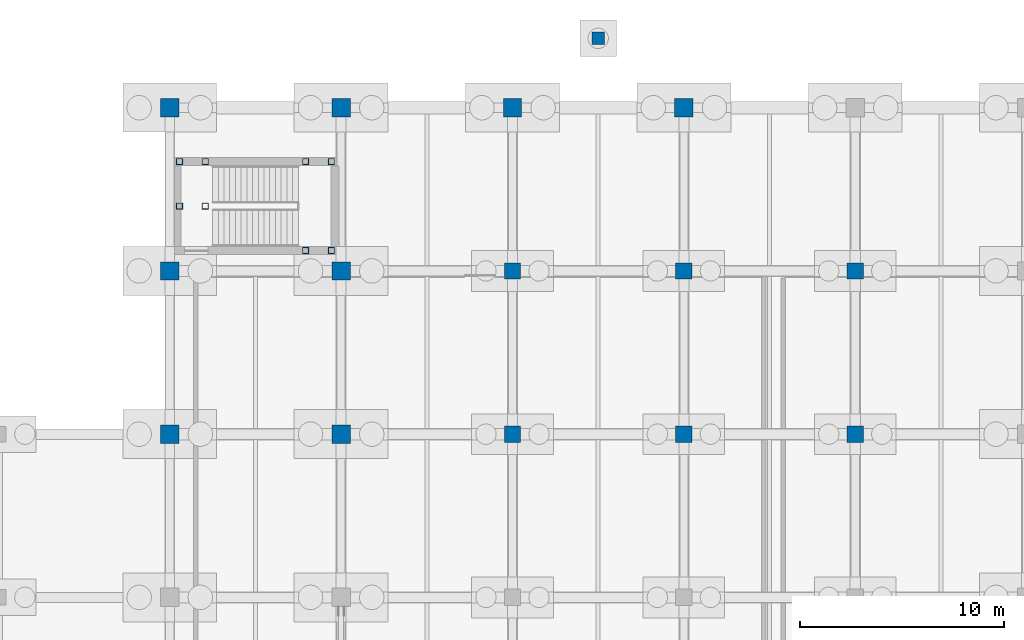
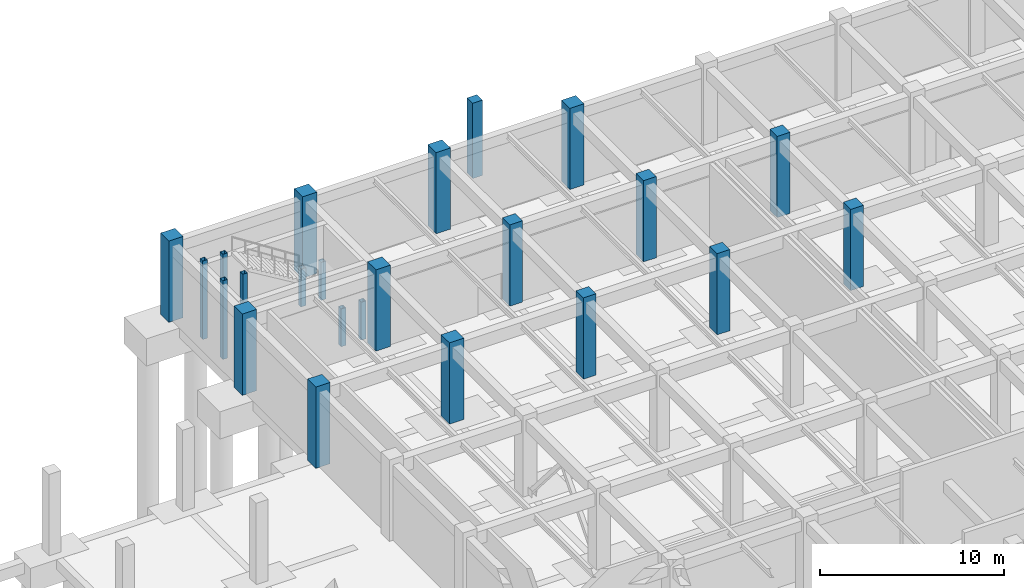
# One storey, part 23 of 56: 23 columns.
"""IFC4 building model written with IfcOpenShell, lengths in metres."""

from ifc_helpers import new_model, si_unit, direction, frame, origin, origin_2d, place, context, subcontext, project, spatial, rectangle, hollow_rectangle, extrude, material, material_profile, profile_set, type_object, element, save


model = new_model("IFC4")

# Units and contexts
model_context = context("Model", 3, precision=1e-05, world=origin(), true_north=direction((0.0, 1.0)))
body_context = subcontext(model_context, "Body", "Model", "MODEL_VIEW")
ifc_project = project(units=[si_unit("LENGTHUNIT", "METRE"), si_unit("AREAUNIT", "SQUARE_METRE"), si_unit("VOLUMEUNIT", "CUBIC_METRE"), si_unit("PLANEANGLEUNIT", "RADIAN"), si_unit("MASSUNIT", "GRAM", prefix="KILO")], contexts=[model_context])

# Site, building, storey
site_placement = place(None, origin())
site = spatial("IfcSite", under=ifc_project, at=site_placement, CompositionType="ELEMENT")
building_placement = place(site_placement, origin())
building = spatial("IfcBuilding", under=site, at=building_placement, Name="Naruveol Harbour Congress Hotel", CompositionType="ELEMENT")
storey_placement = place(building_placement, frame((0.0, 0.0, -5.39990234375)))
storey = spatial("IfcBuildingStorey", under=building, at=storey_placement, Name="B01", CompositionType="ELEMENT", Elevation=-5.39990234375)

# Columns
ifc_material_1 = material(Name="Concrete C50/60", Category="concrete")
ifc_material_profile_1 = material_profile(ifc_material_1, rectangle(XDim=0.800048828125, YDim=0.800048828125, at=origin_2d()), Name="RC-800x800")
ifc_profile_set_1 = profile_set([ifc_material_profile_1], Name="Concrete C50/60")
column_type_1 = type_object("IfcColumnType", Name="RC PODIUM COLUMN 800X800", PredefinedType="COLUMN", material=ifc_profile_set_1)
for number, where, z_axis, x_axis, name in (
    (1, (84.0, 96.0, 0.0), (0.0, 0.0, 1.0), (1.0, 0.0, 0.0), "Column C-800 B01 (84.0,96.0)"),
    (2, (84.0, 104.0, 0.0), (0.0, 0.0, 1.0), (1.0, 0.0, 0.0), "Column C-800 B01 (84.0,104.0)"),
    (3, (92.39990234375, 96.0, 0.0), (0.0, 0.0, 1.0), (1.0, 0.0, 0.0), "Column C-800 B01 (92.4,96.0)"),
    (4, (92.39990234375, 104.0, 0.0), (0.0, 0.0, 1.0), (1.0, 0.0, 0.0), "Column C-800 B01 (92.4,104.0)"),
    (5, (100.800048828125, 96.0, 0.0), (0.0, 0.0, 1.0), (1.0, 0.0, 0.0), "Column C-800 B01 (100.8,96.0)"),
    (6, (100.800048828125, 104.0, 0.0), (0.0, 0.0, 1.0), (1.0, 0.0, 0.0), "Column C-800 B01 (100.8,104.0)"),
):
    element("IfcColumn", number, at=place(storey_placement, frame(where, z_axis=z_axis, x_axis=x_axis)), inside=storey, type_object=column_type_1, Name=name, PredefinedType="COLUMN", context=body_context, shape_type="SweptSolid", body=[
        extrude(rectangle(XDim=0.800048828125, YDim=0.800048828125, at=origin_2d()), origin(), (0.0, 0.0, 1.0), 5.39990234375),
    ])
ifc_material_2 = material(Name="Concrete C50/60", Category="concrete")
ifc_material_profile_2 = material_profile(ifc_material_2, rectangle(XDim=0.89990234375, YDim=0.89990234375, at=origin_2d()), Name="RC-900x900")
ifc_profile_set_2 = profile_set([ifc_material_profile_2], Name="Concrete C50/60")
column_type_2 = type_object("IfcColumnType", Name="RC PRIMARY COLUMN 900X900", PredefinedType="COLUMN", material=ifc_profile_set_2)
for number, where, z_axis, x_axis, name in (
    (7, (67.199951171875, 96.0, 0.0), (0.0, 0.0, 1.0), (1.0, 0.0, 0.0), "Column C-900 B01 (67.2,96.0)"),
    (8, (67.199951171875, 104.0, 0.0), (0.0, 0.0, 1.0), (1.0, 0.0, 0.0), "Column C-900 B01 (67.2,104.0)"),
    (9, (67.199951171875, 112.0, 0.0), (0.0, 0.0, 1.0), (1.0, 0.0, 0.0), "Column C-900 B01 (67.2,112.0)"),
    (10, (75.60009765625, 96.0, 0.0), (0.0, 0.0, 1.0), (1.0, 0.0, 0.0), "Column C-900 B01 (75.6,96.0)"),
    (11, (75.60009765625, 104.0, 0.0), (0.0, 0.0, 1.0), (1.0, 0.0, 0.0), "Column C-900 B01 (75.6,104.0)"),
    (12, (75.60009765625, 112.0, 0.0), (0.0, 0.0, 1.0), (1.0, 0.0, 0.0), "Column C-900 B01 (75.6,112.0)"),
    (13, (84.0, 112.0, 0.0), (0.0, 0.0, 1.0), (1.0, 0.0, 0.0), "Column C-900 B01 (84.0,112.0)"),
    (14, (92.39990234375, 112.0, 0.0), (0.0, 0.0, 1.0), (1.0, 0.0, 0.0), "Column C-900 B01 (92.4,112.0)"),
):
    element("IfcColumn", number, at=place(storey_placement, frame(where, z_axis=z_axis, x_axis=x_axis)), inside=storey, type_object=column_type_2, Name=name, PredefinedType="COLUMN", context=body_context, shape_type="SweptSolid", body=[
        extrude(rectangle(XDim=0.89990234375, YDim=0.89990234375, at=origin_2d()), origin(), (0.0, 0.0, 1.0), 5.39990234375),
    ])
ifc_material_3 = material(Name="Concrete C40/50", Category="concrete")
ifc_material_profile_3 = material_profile(ifc_material_3, rectangle(XDim=0.60009765625, YDim=0.60009765625, at=origin_2d()), Name="RC-600x600")
ifc_profile_set_3 = profile_set([ifc_material_profile_3], Name="Concrete C40/50")
column_type_3 = type_object("IfcColumnType", Name="RC UPPER COLUMN 600X600", PredefinedType="COLUMN", material=ifc_profile_set_3)
column_placement = place(storey_placement, frame((88.199951171875, 115.39990234375, 0.0), z_axis=(0.0, 0.0, 1.0), x_axis=(1.0, 0.0, 0.0)))
element("IfcColumn", 15, at=column_placement, inside=storey, type_object=column_type_3, Name="Column C-600 B01 (88.2,115.4)", PredefinedType="COLUMN", context=body_context, shape_type="SweptSolid", body=[
    extrude(rectangle(XDim=0.60009765625, YDim=0.60009765625, at=origin_2d()), origin(), (0.0, 0.0, 1.0), 5.0),
])
ifc_material_4 = material(Name="Steel SN490", Category="steel")
ifc_material_profile_4 = material_profile(ifc_material_4, hollow_rectangle(XDim=0.300048828125, YDim=0.300048828125, WallThickness=0.011962890625, at=origin_2d()), Name="SHS-300x300x12")
ifc_profile_set_4 = profile_set([ifc_material_profile_4], Name="Steel SN490")
column_type_4 = type_object("IfcColumnType", Name="STEEL COLONNADE POST SHS300", PredefinedType="COLUMN", material=ifc_profile_set_4)
for number, where, z_axis, x_axis, name in (
    (16, (67.679931640625, 107.179931640625, 0.0), (0.0, 0.0, 1.0), (1.0, 0.0, 0.0), "Stair landing support post ST8W #401"),
    (17, (67.679931640625, 109.360107421875, 0.0), (0.0, 0.0, 1.0), (1.0, 0.0, 0.0), "Stair landing support post ST8W #404"),
    (18, (68.93994140625, 107.179931640625, 0.0), (0.0, 0.0, 1.0), (1.0, 0.0, 0.0), "Stair landing support post ST8W #407"),
    (19, (68.93994140625, 109.360107421875, 0.0), (0.0, 0.0, 1.0), (1.0, 0.0, 0.0), "Stair landing support post ST8W #410"),
):
    element("IfcColumn", number, at=place(storey_placement, frame(where, z_axis=z_axis, x_axis=x_axis)), inside=storey, type_object=column_type_4, Name=name, PredefinedType="COLUMN", context=body_context, shape_type="SweptSolid", body=[
        extrude(hollow_rectangle(XDim=0.300048828125, YDim=0.300048828125, WallThickness=0.011962890625, at=origin_2d()), origin(), (0.0, 0.0, 1.0), 5.219970703125),
    ])
for number, where, z_axis, x_axis, name in (
    (20, (73.860107421875, 105.0, 0.0), (0.0, 0.0, 1.0), (1.0, 0.0, 0.0), "Stair landing support post ST8E #413"),
    (21, (73.860107421875, 109.360107421875, 0.0), (0.0, 0.0, 1.0), (1.0, 0.0, 0.0), "Stair landing support post ST8E #416"),
    (22, (75.1201171875, 105.0, 0.0), (0.0, 0.0, 1.0), (1.0, 0.0, 0.0), "Stair landing support post ST8E #419"),
    (23, (75.1201171875, 109.360107421875, 0.0), (0.0, 0.0, 1.0), (1.0, 0.0, 0.0), "Stair landing support post ST8E #422"),
):
    element("IfcColumn", number, at=place(storey_placement, frame(where, z_axis=z_axis, x_axis=x_axis)), inside=storey, type_object=column_type_4, Name=name, PredefinedType="COLUMN", context=body_context, shape_type="SweptSolid", body=[
        extrude(hollow_rectangle(XDim=0.300048828125, YDim=0.300048828125, WallThickness=0.011962890625, at=origin_2d()), origin(), (0.0, 0.0, 1.0), 2.52001953125),
    ])

save(model, "model.ifc")
